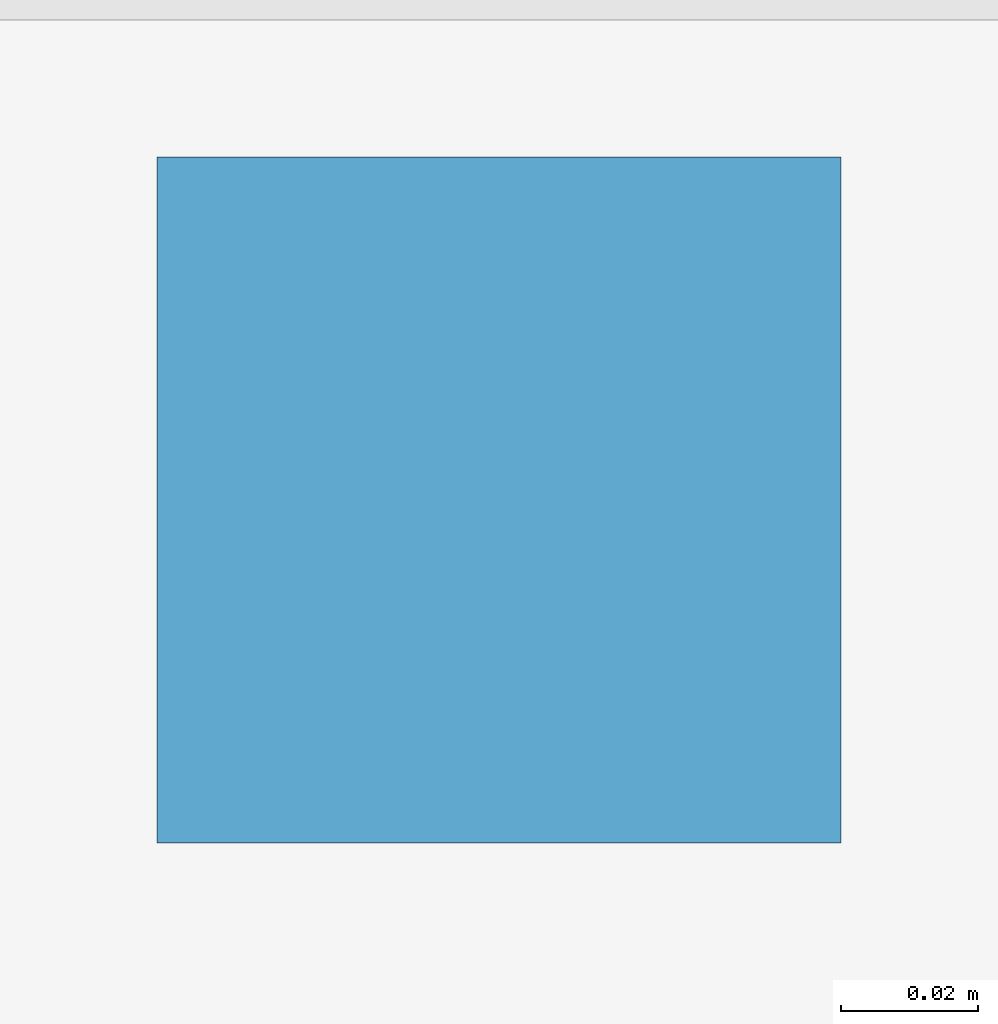
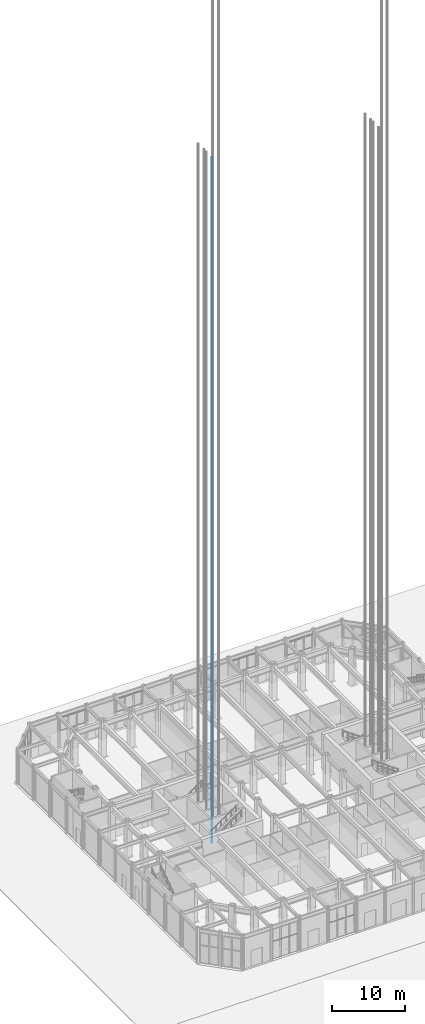
# One storey, part 26 of 39: 1 discrete accessory.
"""IFC4 building model written with IfcOpenShell, lengths in metres."""

from ifc_helpers import new_model, si_unit, direction, frame, origin, place, context, subcontext, project, spatial, polyline, outline, extrude, element, save


model = new_model("IFC4")

# Units and contexts
model_context = context("Model", 3, precision=1e-05, world=origin(), true_north=direction((0.0, 1.0)))
body_context = subcontext(model_context, "Body", "Model", "MODEL_VIEW")
ifc_project = project(units=[si_unit("LENGTHUNIT", "METRE"), si_unit("AREAUNIT", "SQUARE_METRE"), si_unit("VOLUMEUNIT", "CUBIC_METRE"), si_unit("PLANEANGLEUNIT", "RADIAN"), si_unit("MASSUNIT", "GRAM", prefix="KILO")], contexts=[model_context])

# Site, building, storey
site_placement = place(None, origin())
site = spatial("IfcSite", under=ifc_project, at=site_placement, CompositionType="ELEMENT")
building_placement = place(site_placement, origin())
building = spatial("IfcBuilding", under=site, at=building_placement, Name="Msasa Ring Tower", CompositionType="ELEMENT")
storey_placement = place(building_placement, origin())
storey = spatial("IfcBuildingStorey", under=building, at=storey_placement, Name="L00", CompositionType="ELEMENT", Elevation=0.0)

# Discrete accessory
discrete_accessory_placement = place(storey_placement, frame((0.0, 0.0, 0.050048828125)))
element("IfcDiscreteAccessory", 1, at=discrete_accessory_placement, inside=storey, Name="Lift guide rail 1 PL-X1", ObjectType="LIFT GUIDE RAIL", PredefinedType="USERDEFINED", context=body_context, shape_type="SweptSolid", body=[
    extrude(outline(polyline([(-13.27490234375, -0.945068359375), (-13.175048828125, -0.945068359375), (-13.175048828125, -0.844970703125), (-13.27490234375, -0.844970703125), (-13.27490234375, -0.945068359375)])), origin(), (0.0, 0.0, 1.0), 114.800048828125),
])

save(model, "model.ifc")
